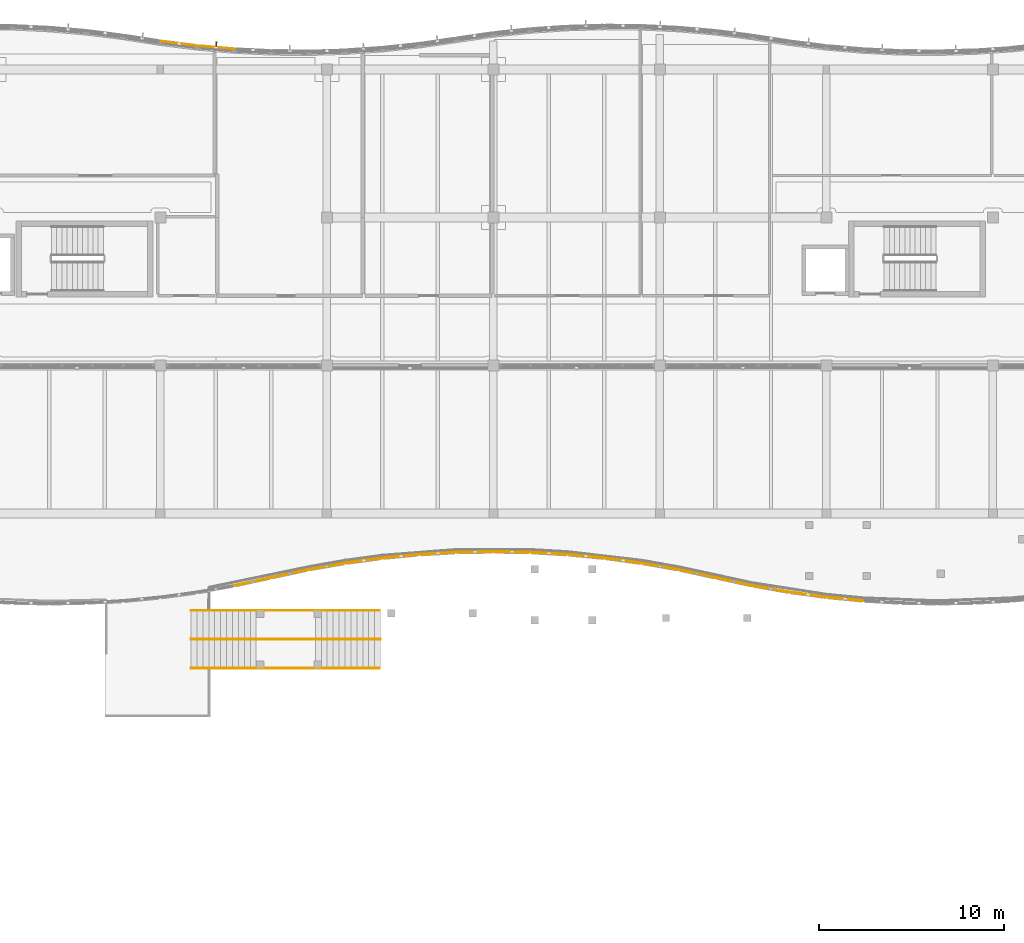
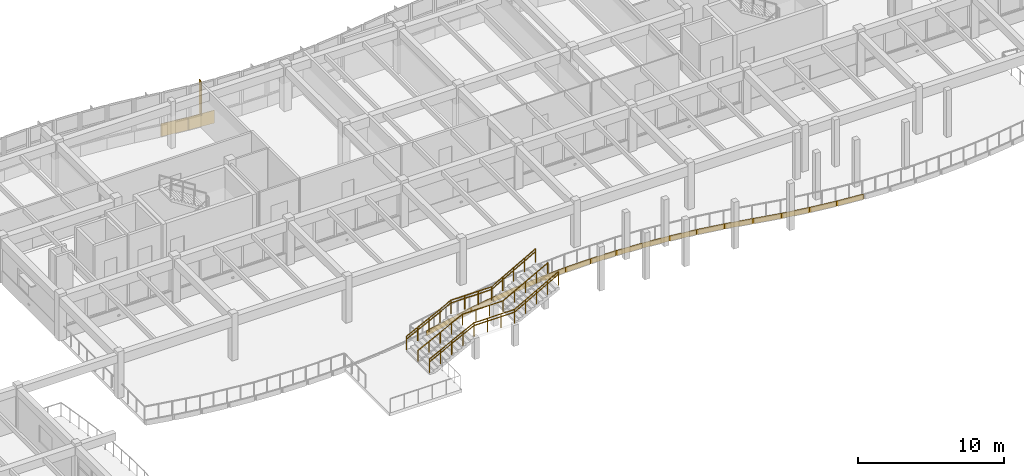
# One storey, part 82 of 89: 19 coverings, 5 railings, 1 shading device.
"""IFC4 building model written with IfcOpenShell, lengths in metres."""

from ifc_helpers import new_model, si_unit, direction, frame, origin, origin_2d, place, context, subcontext, project, spatial, polyline, rectangle, circle, outline, extrude, material, layer, layer_set, type_object, element, save


model = new_model("IFC4")

# Units and contexts
model_context = context("Model", 3, precision=1e-05, world=origin(), true_north=direction((0.0, 1.0)))
body_context = subcontext(model_context, "Body", "Model", "MODEL_VIEW")
ifc_project = project(units=[si_unit("LENGTHUNIT", "METRE"), si_unit("AREAUNIT", "SQUARE_METRE"), si_unit("VOLUMEUNIT", "CUBIC_METRE"), si_unit("PLANEANGLEUNIT", "RADIAN"), si_unit("MASSUNIT", "GRAM", prefix="KILO")], contexts=[model_context])

# Site, building, storey
site_placement = place(None, origin())
site = spatial("IfcSite", under=ifc_project, at=site_placement, CompositionType="ELEMENT")
building_placement = place(site_placement, origin())
building = spatial("IfcBuilding", under=site, at=building_placement, Name="Tonlespit Floodbar School", CompositionType="ELEMENT")
storey_placement = place(building_placement, frame((0.0, 0.0, 4.5)))
storey = spatial("IfcBuildingStorey", under=building, at=storey_placement, Name="L01", CompositionType="ELEMENT", Elevation=4.5)

# Railings
ifc_material_1 = material(Name="Galvanised Steel", Category="steel")
railing_type_1 = type_object("IfcRailingType", Name="Balustrade_Ext_1150", PredefinedType="BALUSTRADE", material=ifc_material_1)
railing_1_placement = place(storey_placement, frame((63.659912109375, 87.639892578125, 0.16259765625)))
element("IfcRailing", 1, at=railing_1_placement, inside=storey, type_object=railing_type_1, Name="ST-CT2 side guard 1", PredefinedType="BALUSTRADE", context=body_context, shape_type="SweptSolid", body=[
    extrude(circle(Radius=0.02392578125, at=origin_2d()), frame((0.0, 0.0, 1.1259765625), z_axis=(0.891639500788, 0.0, 0.452746066394), x_axis=(0.0, 1.0, 0.0)), (0.0, 0.0, 1.0), 3.94775390625),
    extrude(circle(Radius=0.02392578125, at=origin_2d()), frame((3.52001953125, 0.0, 2.9130859375), z_axis=(1.0, 0.0, 0.0), x_axis=(0.0, 1.0, 0.0)), (0.0, 0.0, 1.0), 3.199951171875),
    extrude(circle(Radius=0.02392578125, at=origin_2d()), frame((6.719970703125, 0.0, 2.9130859375), z_axis=(0.871189494757, 0.0, 0.49094690571), x_axis=(0.0, 1.0, 0.0)), (0.0, 0.0, 1.0), 3.971923828125),
    extrude(circle(Radius=0.02099609375, at=origin_2d()), origin(), (0.0, 0.0, 1.0), 1.101806640625),
    extrude(circle(Radius=0.02099609375, at=origin_2d()), frame((0.8798828125, 0.0, 0.44677734375)), (0.0, 0.0, 1.0), 1.101806640625),
    extrude(circle(Radius=0.02099609375, at=origin_2d()), frame((1.760009765625, 0.0, 0.8935546875)), (0.0, 0.0, 1.0), 1.101806640625),
    extrude(circle(Radius=0.02099609375, at=origin_2d()), frame((2.64013671875, 0.0, 1.340576171875)), (0.0, 0.0, 1.0), 1.101806640625),
    extrude(circle(Radius=0.02099609375, at=origin_2d()), frame((3.52001953125, 0.0, 1.787353515625)), (0.0, 0.0, 1.0), 1.101806640625),
    extrude(circle(Radius=0.02099609375, at=origin_2d()), frame((4.586669921875, 0.0, 1.787353515625)), (0.0, 0.0, 1.0), 1.101806640625),
    extrude(circle(Radius=0.02099609375, at=origin_2d()), frame((5.6533203125, 0.0, 1.787353515625)), (0.0, 0.0, 1.0), 1.101806640625),
    extrude(circle(Radius=0.02099609375, at=origin_2d()), frame((6.719970703125, 0.0, 1.787353515625)), (0.0, 0.0, 1.0), 1.101806640625),
    extrude(circle(Radius=0.02099609375, at=origin_2d()), frame((7.5849609375, 0.0, 2.27490234375)), (0.0, 0.0, 1.0), 1.101806640625),
    extrude(circle(Radius=0.02099609375, at=origin_2d()), frame((8.4501953125, 0.0, 2.76220703125)), (0.0, 0.0, 1.0), 1.101806640625),
    extrude(circle(Radius=0.02099609375, at=origin_2d()), frame((9.315185546875, 0.0, 3.249755859375)), (0.0, 0.0, 1.0), 1.101806640625),
    extrude(circle(Radius=0.02099609375, at=origin_2d()), frame((10.18017578125, 0.0, 3.7373046875)), (0.0, 0.0, 1.0), 1.101806640625),
])
railing_2_placement = place(storey_placement, frame((63.659912109375, 90.760009765625, 0.16259765625)))
element("IfcRailing", 2, at=railing_2_placement, inside=storey, type_object=railing_type_1, Name="ST-CT2 side guard 2", PredefinedType="BALUSTRADE", context=body_context, shape_type="SweptSolid", body=[
    extrude(circle(Radius=0.02392578125, at=origin_2d()), frame((0.0, 0.0, 1.1259765625), z_axis=(0.891639500788, 0.0, 0.452746066394), x_axis=(0.0, 1.0, 0.0)), (0.0, 0.0, 1.0), 3.94775390625),
    extrude(circle(Radius=0.02392578125, at=origin_2d()), frame((3.52001953125, 0.0, 2.9130859375), z_axis=(1.0, 0.0, 0.0), x_axis=(0.0, 1.0, 0.0)), (0.0, 0.0, 1.0), 3.199951171875),
    extrude(circle(Radius=0.02392578125, at=origin_2d()), frame((6.719970703125, 0.0, 2.9130859375), z_axis=(0.871189494757, 0.0, 0.49094690571), x_axis=(0.0, 1.0, 0.0)), (0.0, 0.0, 1.0), 3.971923828125),
    extrude(circle(Radius=0.02099609375, at=origin_2d()), origin(), (0.0, 0.0, 1.0), 1.101806640625),
    extrude(circle(Radius=0.02099609375, at=origin_2d()), frame((0.8798828125, 0.0, 0.44677734375)), (0.0, 0.0, 1.0), 1.101806640625),
    extrude(circle(Radius=0.02099609375, at=origin_2d()), frame((1.760009765625, 0.0, 0.8935546875)), (0.0, 0.0, 1.0), 1.101806640625),
    extrude(circle(Radius=0.02099609375, at=origin_2d()), frame((2.64013671875, 0.0, 1.340576171875)), (0.0, 0.0, 1.0), 1.101806640625),
    extrude(circle(Radius=0.02099609375, at=origin_2d()), frame((3.52001953125, 0.0, 1.787353515625)), (0.0, 0.0, 1.0), 1.101806640625),
    extrude(circle(Radius=0.02099609375, at=origin_2d()), frame((4.586669921875, 0.0, 1.787353515625)), (0.0, 0.0, 1.0), 1.101806640625),
    extrude(circle(Radius=0.02099609375, at=origin_2d()), frame((5.6533203125, 0.0, 1.787353515625)), (0.0, 0.0, 1.0), 1.101806640625),
    extrude(circle(Radius=0.02099609375, at=origin_2d()), frame((6.719970703125, 0.0, 1.787353515625)), (0.0, 0.0, 1.0), 1.101806640625),
    extrude(circle(Radius=0.02099609375, at=origin_2d()), frame((7.5849609375, 0.0, 2.27490234375)), (0.0, 0.0, 1.0), 1.101806640625),
    extrude(circle(Radius=0.02099609375, at=origin_2d()), frame((8.4501953125, 0.0, 2.76220703125)), (0.0, 0.0, 1.0), 1.101806640625),
    extrude(circle(Radius=0.02099609375, at=origin_2d()), frame((9.315185546875, 0.0, 3.249755859375)), (0.0, 0.0, 1.0), 1.101806640625),
    extrude(circle(Radius=0.02099609375, at=origin_2d()), frame((10.18017578125, 0.0, 3.7373046875)), (0.0, 0.0, 1.0), 1.101806640625),
])

# Coverings
ifc_material_2 = material(Name="White Architectural Aluminium", Category="aluminium")
ifc_layer_1 = layer(ifc_material_2, 0.050048828125)
ifc_layer_set_1 = layer_set([ifc_layer_1], Name="White Architectural Aluminium")
covering_type = type_object("IfcCoveringType", Name="Cladding_WhiteBand_50", PredefinedType="CLADDING", material=ifc_layer_set_1)
covering_1_placement = place(storey_placement, frame((0.0, 0.0, -0.1201171875)))
element("IfcCovering", 3, at=covering_1_placement, inside=storey, type_object=covering_type, Name="L01 curved white spandrel cladding 0057", PredefinedType="CLADDING", context=body_context, shape_type="SweptSolid", body=[
    extrude(outline(polyline([(62.012451171875, 121.493408203125), (64.012451171875, 121.241455078125), (64.018798828125, 121.291015625), (62.018798828125, 121.543212890625), (62.012451171875, 121.493408203125)])), origin(), (0.0, 0.0, 1.0), 1.070068359375),
])
covering_2_placement = place(storey_placement, frame((0.0, 0.0, -0.1201171875)))
element("IfcCovering", 4, at=covering_2_placement, inside=storey, type_object=covering_type, Name="L01 curved white spandrel cladding 0058", PredefinedType="CLADDING", context=body_context, shape_type="SweptSolid", body=[
    extrude(outline(polyline([(64.0087890625, 121.241943359375), (66.0087890625, 121.068115234375), (66.012939453125, 121.117919921875), (64.012939453125, 121.291748046875), (64.0087890625, 121.241943359375)])), origin(), (0.0, 0.0, 1.0), 1.070068359375),
])
covering_3_placement = place(storey_placement, frame((0.0, 0.0, -0.300048828125)))
element("IfcCovering", 5, at=covering_3_placement, inside=storey, type_object=covering_type, Name="L01 curved white spandrel cladding 0106", PredefinedType="CLADDING", context=body_context, shape_type="SweptSolid", body=[
    extrude(outline(polyline([(66.0, 92.126953125), (68.0, 92.56005859375), (68.0, 92.510009765625), (66.0, 92.076904296875), (66.0, 92.126953125)])), origin(), (0.0, 0.0, 1.0), 0.420166015625),
])
covering_4_placement = place(storey_placement, frame((0.0, 0.0, -0.300048828125)))
element("IfcCovering", 6, at=covering_4_placement, inside=storey, type_object=covering_type, Name="L01 curved white spandrel cladding 0107", PredefinedType="CLADDING", context=body_context, shape_type="SweptSolid", body=[
    extrude(outline(polyline([(68.0, 92.56005859375), (70.0, 92.992919921875), (70.0, 92.943115234375), (68.0, 92.510009765625), (68.0, 92.56005859375)])), origin(), (0.0, 0.0, 1.0), 0.420166015625),
])
covering_5_placement = place(storey_placement, frame((0.0, 0.0, -0.300048828125)))
element("IfcCovering", 7, at=covering_5_placement, inside=storey, type_object=covering_type, Name="L01 curved white spandrel cladding 0108", PredefinedType="CLADDING", context=body_context, shape_type="SweptSolid", body=[
    extrude(outline(polyline([(70.0, 92.992919921875), (72.0, 93.344482421875), (72.0, 93.29443359375), (70.0, 92.943115234375), (70.0, 92.992919921875)])), origin(), (0.0, 0.0, 1.0), 0.420166015625),
])
covering_6_placement = place(storey_placement, frame((0.0, 0.0, -0.300048828125)))
element("IfcCovering", 8, at=covering_6_placement, inside=storey, type_object=covering_type, Name="L01 curved white spandrel cladding 0109", PredefinedType="CLADDING", context=body_context, shape_type="SweptSolid", body=[
    extrude(outline(polyline([(72.0, 93.344482421875), (74.0, 93.6162109375), (74.0, 93.566162109375), (72.0, 93.29443359375), (72.0, 93.344482421875)])), origin(), (0.0, 0.0, 1.0), 0.420166015625),
])
covering_7_placement = place(storey_placement, frame((0.0, 0.0, -0.300048828125)))
element("IfcCovering", 9, at=covering_7_placement, inside=storey, type_object=covering_type, Name="L01 curved white spandrel cladding 0110", PredefinedType="CLADDING", context=body_context, shape_type="SweptSolid", body=[
    extrude(outline(polyline([(74.0, 93.6162109375), (76.0, 93.8095703125), (76.0, 93.759521484375), (74.0, 93.566162109375), (74.0, 93.6162109375)])), origin(), (0.0, 0.0, 1.0), 0.420166015625),
])
covering_8_placement = place(storey_placement, frame((0.0, 0.0, -0.300048828125)))
element("IfcCovering", 10, at=covering_8_placement, inside=storey, type_object=covering_type, Name="L01 curved white spandrel cladding 0111", PredefinedType="CLADDING", context=body_context, shape_type="SweptSolid", body=[
    extrude(outline(polyline([(76.0, 93.8095703125), (78.0, 93.925048828125), (78.0, 93.875), (76.0, 93.759521484375), (76.0, 93.8095703125)])), origin(), (0.0, 0.0, 1.0), 0.420166015625),
])
covering_9_placement = place(storey_placement, frame((0.0, 0.0, -0.300048828125)))
element("IfcCovering", 11, at=covering_9_placement, inside=storey, type_object=covering_type, Name="L01 curved white spandrel cladding 0112", PredefinedType="CLADDING", context=body_context, shape_type="SweptSolid", body=[
    extrude(outline(polyline([(78.0, 93.925048828125), (80.0, 93.963623046875), (80.0, 93.91357421875), (78.0, 93.875), (78.0, 93.925048828125)])), origin(), (0.0, 0.0, 1.0), 0.420166015625),
])
covering_10_placement = place(storey_placement, frame((0.0, 0.0, -0.300048828125)))
element("IfcCovering", 12, at=covering_10_placement, inside=storey, type_object=covering_type, Name="L01 curved white spandrel cladding 0113", PredefinedType="CLADDING", context=body_context, shape_type="SweptSolid", body=[
    extrude(outline(polyline([(80.0, 93.963623046875), (82.0, 93.925048828125), (82.0, 93.875), (80.0, 93.91357421875), (80.0, 93.963623046875)])), origin(), (0.0, 0.0, 1.0), 0.420166015625),
])
covering_11_placement = place(storey_placement, frame((0.0, 0.0, -0.300048828125)))
element("IfcCovering", 13, at=covering_11_placement, inside=storey, type_object=covering_type, Name="L01 curved white spandrel cladding 0114", PredefinedType="CLADDING", context=body_context, shape_type="SweptSolid", body=[
    extrude(outline(polyline([(82.0, 93.925048828125), (84.0, 93.8095703125), (84.0, 93.759521484375), (82.0, 93.875), (82.0, 93.925048828125)])), origin(), (0.0, 0.0, 1.0), 0.420166015625),
])
covering_12_placement = place(storey_placement, frame((0.0, 0.0, -0.300048828125)))
element("IfcCovering", 14, at=covering_12_placement, inside=storey, type_object=covering_type, Name="L01 curved white spandrel cladding 0115", PredefinedType="CLADDING", context=body_context, shape_type="SweptSolid", body=[
    extrude(outline(polyline([(84.0, 93.8095703125), (86.0, 93.6162109375), (86.0, 93.566162109375), (84.0, 93.759521484375), (84.0, 93.8095703125)])), origin(), (0.0, 0.0, 1.0), 0.420166015625),
])
covering_13_placement = place(storey_placement, frame((0.0, 0.0, -0.300048828125)))
element("IfcCovering", 15, at=covering_13_placement, inside=storey, type_object=covering_type, Name="L01 curved white spandrel cladding 0116", PredefinedType="CLADDING", context=body_context, shape_type="SweptSolid", body=[
    extrude(outline(polyline([(86.0, 93.6162109375), (88.0, 93.344482421875), (88.0, 93.29443359375), (86.0, 93.566162109375), (86.0, 93.6162109375)])), origin(), (0.0, 0.0, 1.0), 0.420166015625),
])
covering_14_placement = place(storey_placement, frame((0.0, 0.0, -0.300048828125)))
element("IfcCovering", 16, at=covering_14_placement, inside=storey, type_object=covering_type, Name="L01 curved white spandrel cladding 0117", PredefinedType="CLADDING", context=body_context, shape_type="SweptSolid", body=[
    extrude(outline(polyline([(88.0, 93.344482421875), (90.0, 92.992919921875), (90.0, 92.943115234375), (88.0, 93.29443359375), (88.0, 93.344482421875)])), origin(), (0.0, 0.0, 1.0), 0.420166015625),
])
covering_15_placement = place(storey_placement, frame((0.0, 0.0, -0.300048828125)))
element("IfcCovering", 17, at=covering_15_placement, inside=storey, type_object=covering_type, Name="L01 curved white spandrel cladding 0118", PredefinedType="CLADDING", context=body_context, shape_type="SweptSolid", body=[
    extrude(outline(polyline([(90.0, 92.992919921875), (92.0, 92.56005859375), (92.0, 92.510009765625), (90.0, 92.943115234375), (90.0, 92.992919921875)])), origin(), (0.0, 0.0, 1.0), 0.420166015625),
])
covering_16_placement = place(storey_placement, frame((0.0, 0.0, -0.300048828125)))
element("IfcCovering", 18, at=covering_16_placement, inside=storey, type_object=covering_type, Name="L01 curved white spandrel cladding 0119", PredefinedType="CLADDING", context=body_context, shape_type="SweptSolid", body=[
    extrude(outline(polyline([(92.0, 92.56005859375), (94.0, 92.126953125), (94.0, 92.076904296875), (92.0, 92.510009765625), (92.0, 92.56005859375)])), origin(), (0.0, 0.0, 1.0), 0.420166015625),
])
covering_17_placement = place(storey_placement, frame((0.0, 0.0, -0.300048828125)))
element("IfcCovering", 19, at=covering_17_placement, inside=storey, type_object=covering_type, Name="L01 curved white spandrel cladding 0120", PredefinedType="CLADDING", context=body_context, shape_type="SweptSolid", body=[
    extrude(outline(polyline([(94.0, 92.126953125), (96.0, 91.775390625), (96.0, 91.7255859375), (94.0, 92.076904296875), (94.0, 92.126953125)])), origin(), (0.0, 0.0, 1.0), 0.420166015625),
])
covering_18_placement = place(storey_placement, frame((0.0, 0.0, -0.300048828125)))
element("IfcCovering", 20, at=covering_18_placement, inside=storey, type_object=covering_type, Name="L01 curved white spandrel cladding 0121", PredefinedType="CLADDING", context=body_context, shape_type="SweptSolid", body=[
    extrude(outline(polyline([(96.0, 91.775390625), (98.0, 91.50390625), (98.0, 91.453857421875), (96.0, 91.7255859375), (96.0, 91.775390625)])), origin(), (0.0, 0.0, 1.0), 0.420166015625),
])
covering_19_placement = place(storey_placement, frame((0.0, 0.0, -0.300048828125)))
element("IfcCovering", 21, at=covering_19_placement, inside=storey, type_object=covering_type, Name="L01 curved white spandrel cladding 0122", PredefinedType="CLADDING", context=body_context, shape_type="SweptSolid", body=[
    extrude(outline(polyline([(98.0, 91.50390625), (100.0, 91.310546875), (100.0, 91.260498046875), (98.0, 91.453857421875), (98.0, 91.50390625)])), origin(), (0.0, 0.0, 1.0), 0.420166015625),
])

# Railings
railing_type_2 = type_object("IfcRailingType", Name="Handrail_Ext_920", PredefinedType="HANDRAIL", material=ifc_material_1)
railing_3_placement = place(storey_placement, frame((63.659912109375, 89.199951171875, 0.16259765625)))
element("IfcRailing", 22, at=railing_3_placement, inside=storey, type_object=railing_type_2, Name="ST-CT2 central handrail", PredefinedType="HANDRAIL", context=body_context, shape_type="SweptSolid", body=[
    extrude(circle(Radius=0.02392578125, at=origin_2d()), frame((0.0, 0.0, 0.89599609375), z_axis=(0.891639500788, 0.0, 0.452746066394), x_axis=(0.0, 1.0, 0.0)), (0.0, 0.0, 1.0), 3.94775390625),
    extrude(circle(Radius=0.02392578125, at=origin_2d()), frame((3.52001953125, 0.0, 2.68310546875), z_axis=(1.0, 0.0, 0.0), x_axis=(0.0, 1.0, 0.0)), (0.0, 0.0, 1.0), 3.199951171875),
    extrude(circle(Radius=0.02392578125, at=origin_2d()), frame((6.719970703125, 0.0, 2.68310546875), z_axis=(0.874749022873, 0.0, 0.484576255076), x_axis=(0.0, 1.0, 0.0)), (0.0, 0.0, 1.0), 4.02392578125),
    extrude(circle(Radius=0.02099609375, at=origin_2d()), origin(), (0.0, 0.0, 1.0), 0.871826171875),
    extrude(circle(Radius=0.02099609375, at=origin_2d()), frame((0.8798828125, 0.0, 0.44677734375)), (0.0, 0.0, 1.0), 0.871826171875),
    extrude(circle(Radius=0.02099609375, at=origin_2d()), frame((1.760009765625, 0.0, 0.8935546875)), (0.0, 0.0, 1.0), 0.871826171875),
    extrude(circle(Radius=0.02099609375, at=origin_2d()), frame((2.64013671875, 0.0, 1.340576171875)), (0.0, 0.0, 1.0), 0.871826171875),
    extrude(circle(Radius=0.02099609375, at=origin_2d()), frame((3.52001953125, 0.0, 1.787353515625)), (0.0, 0.0, 1.0), 0.871826171875),
    extrude(circle(Radius=0.02099609375, at=origin_2d()), frame((4.586669921875, 0.0, 1.787353515625)), (0.0, 0.0, 1.0), 0.871826171875),
    extrude(circle(Radius=0.02099609375, at=origin_2d()), frame((5.6533203125, 0.0, 1.787353515625)), (0.0, 0.0, 1.0), 0.871826171875),
    extrude(circle(Radius=0.02099609375, at=origin_2d()), frame((6.719970703125, 0.0, 1.787353515625)), (0.0, 0.0, 1.0), 0.871826171875),
    extrude(circle(Radius=0.02099609375, at=origin_2d()), frame((7.60009765625, 0.0, 2.27490234375)), (0.0, 0.0, 1.0), 0.871826171875),
    extrude(circle(Radius=0.02099609375, at=origin_2d()), frame((8.47998046875, 0.0, 2.76220703125)), (0.0, 0.0, 1.0), 0.871826171875),
    extrude(circle(Radius=0.02099609375, at=origin_2d()), frame((9.35986328125, 0.0, 3.249755859375)), (0.0, 0.0, 1.0), 0.871826171875),
    extrude(circle(Radius=0.02099609375, at=origin_2d()), frame((10.239990234375, 0.0, 3.7373046875)), (0.0, 0.0, 1.0), 0.871826171875),
])
railing_4_placement = place(storey_placement, frame((63.659912109375, 87.639892578125, 0.16259765625)))
element("IfcRailing", 23, at=railing_4_placement, inside=storey, type_object=railing_type_2, Name="ST-CT2 handrail 1", PredefinedType="HANDRAIL", context=body_context, shape_type="SweptSolid", body=[
    extrude(circle(Radius=0.02392578125, at=origin_2d()), frame((0.0, 0.0, 0.89599609375), z_axis=(0.891639500788, 0.0, 0.452746066394), x_axis=(0.0, 1.0, 0.0)), (0.0, 0.0, 1.0), 3.94775390625),
    extrude(circle(Radius=0.02392578125, at=origin_2d()), frame((3.52001953125, 0.0, 2.68310546875), z_axis=(1.0, 0.0, 0.0), x_axis=(0.0, 1.0, 0.0)), (0.0, 0.0, 1.0), 3.199951171875),
    extrude(circle(Radius=0.02392578125, at=origin_2d()), frame((6.719970703125, 0.0, 2.68310546875), z_axis=(0.871189494757, 0.0, 0.49094690571), x_axis=(0.0, 1.0, 0.0)), (0.0, 0.0, 1.0), 3.971923828125),
    extrude(circle(Radius=0.02099609375, at=origin_2d()), origin(), (0.0, 0.0, 1.0), 0.871826171875),
    extrude(circle(Radius=0.02099609375, at=origin_2d()), frame((0.8798828125, 0.0, 0.44677734375)), (0.0, 0.0, 1.0), 0.871826171875),
    extrude(circle(Radius=0.02099609375, at=origin_2d()), frame((1.760009765625, 0.0, 0.8935546875)), (0.0, 0.0, 1.0), 0.871826171875),
    extrude(circle(Radius=0.02099609375, at=origin_2d()), frame((2.64013671875, 0.0, 1.340576171875)), (0.0, 0.0, 1.0), 0.871826171875),
    extrude(circle(Radius=0.02099609375, at=origin_2d()), frame((3.52001953125, 0.0, 1.787353515625)), (0.0, 0.0, 1.0), 0.871826171875),
    extrude(circle(Radius=0.02099609375, at=origin_2d()), frame((4.586669921875, 0.0, 1.787353515625)), (0.0, 0.0, 1.0), 0.871826171875),
    extrude(circle(Radius=0.02099609375, at=origin_2d()), frame((5.6533203125, 0.0, 1.787353515625)), (0.0, 0.0, 1.0), 0.871826171875),
    extrude(circle(Radius=0.02099609375, at=origin_2d()), frame((6.719970703125, 0.0, 1.787353515625)), (0.0, 0.0, 1.0), 0.871826171875),
    extrude(circle(Radius=0.02099609375, at=origin_2d()), frame((7.5849609375, 0.0, 2.27490234375)), (0.0, 0.0, 1.0), 0.871826171875),
    extrude(circle(Radius=0.02099609375, at=origin_2d()), frame((8.4501953125, 0.0, 2.76220703125)), (0.0, 0.0, 1.0), 0.871826171875),
    extrude(circle(Radius=0.02099609375, at=origin_2d()), frame((9.315185546875, 0.0, 3.249755859375)), (0.0, 0.0, 1.0), 0.871826171875),
    extrude(circle(Radius=0.02099609375, at=origin_2d()), frame((10.18017578125, 0.0, 3.7373046875)), (0.0, 0.0, 1.0), 0.871826171875),
])
railing_5_placement = place(storey_placement, frame((63.659912109375, 90.760009765625, 0.16259765625)))
element("IfcRailing", 24, at=railing_5_placement, inside=storey, type_object=railing_type_2, Name="ST-CT2 handrail 2", PredefinedType="HANDRAIL", context=body_context, shape_type="SweptSolid", body=[
    extrude(circle(Radius=0.02392578125, at=origin_2d()), frame((0.0, 0.0, 0.89599609375), z_axis=(0.891639500788, 0.0, 0.452746066394), x_axis=(0.0, 1.0, 0.0)), (0.0, 0.0, 1.0), 3.94775390625),
    extrude(circle(Radius=0.02392578125, at=origin_2d()), frame((3.52001953125, 0.0, 2.68310546875), z_axis=(1.0, 0.0, 0.0), x_axis=(0.0, 1.0, 0.0)), (0.0, 0.0, 1.0), 3.199951171875),
    extrude(circle(Radius=0.02392578125, at=origin_2d()), frame((6.719970703125, 0.0, 2.68310546875), z_axis=(0.871189494757, 0.0, 0.49094690571), x_axis=(0.0, 1.0, 0.0)), (0.0, 0.0, 1.0), 3.971923828125),
    extrude(circle(Radius=0.02099609375, at=origin_2d()), origin(), (0.0, 0.0, 1.0), 0.871826171875),
    extrude(circle(Radius=0.02099609375, at=origin_2d()), frame((0.8798828125, 0.0, 0.44677734375)), (0.0, 0.0, 1.0), 0.871826171875),
    extrude(circle(Radius=0.02099609375, at=origin_2d()), frame((1.760009765625, 0.0, 0.8935546875)), (0.0, 0.0, 1.0), 0.871826171875),
    extrude(circle(Radius=0.02099609375, at=origin_2d()), frame((2.64013671875, 0.0, 1.340576171875)), (0.0, 0.0, 1.0), 0.871826171875),
    extrude(circle(Radius=0.02099609375, at=origin_2d()), frame((3.52001953125, 0.0, 1.787353515625)), (0.0, 0.0, 1.0), 0.871826171875),
    extrude(circle(Radius=0.02099609375, at=origin_2d()), frame((4.586669921875, 0.0, 1.787353515625)), (0.0, 0.0, 1.0), 0.871826171875),
    extrude(circle(Radius=0.02099609375, at=origin_2d()), frame((5.6533203125, 0.0, 1.787353515625)), (0.0, 0.0, 1.0), 0.871826171875),
    extrude(circle(Radius=0.02099609375, at=origin_2d()), frame((6.719970703125, 0.0, 1.787353515625)), (0.0, 0.0, 1.0), 0.871826171875),
    extrude(circle(Radius=0.02099609375, at=origin_2d()), frame((7.5849609375, 0.0, 2.27490234375)), (0.0, 0.0, 1.0), 0.871826171875),
    extrude(circle(Radius=0.02099609375, at=origin_2d()), frame((8.4501953125, 0.0, 2.76220703125)), (0.0, 0.0, 1.0), 0.871826171875),
    extrude(circle(Radius=0.02099609375, at=origin_2d()), frame((9.315185546875, 0.0, 3.249755859375)), (0.0, 0.0, 1.0), 0.871826171875),
    extrude(circle(Radius=0.02099609375, at=origin_2d()), frame((10.18017578125, 0.0, 3.7373046875)), (0.0, 0.0, 1.0), 0.871826171875),
])

# Shading device
ifc_material_3 = material(Name="Terracotta Anodised Aluminium", Category="masonry")
ifc_layer_2 = layer(ifc_material_3, 0.06005859375)
ifc_layer_set_2 = layer_set([ifc_layer_2], Name="Terracotta Anodised Aluminium")
shading_device_type = type_object("IfcShadingDeviceType", Name="Shading_SolarFin_350", PredefinedType="USERDEFINED", material=ifc_layer_set_2)
shading_device_placement = place(storey_placement, frame((65.0224609375, 121.314453125, 0.800048828125), z_axis=(0.0, 0.0, 1.0), x_axis=(0.996245486492, -0.086573267488, 0.0)))
element("IfcShadingDevice", 25, at=shading_device_placement, inside=storey, type_object=shading_device_type, Name="L01 vertical solar fin 023", ObjectType="SOLAR FIN", PredefinedType="USERDEFINED", context=body_context, shape_type="SweptSolid", body=[
    extrude(rectangle(XDim=0.06005859375, YDim=0.35009765625, at=origin_2d()), origin(), (0.0, 0.0, 1.0), 2.85009765625),
])

save(model, "model.ifc")
